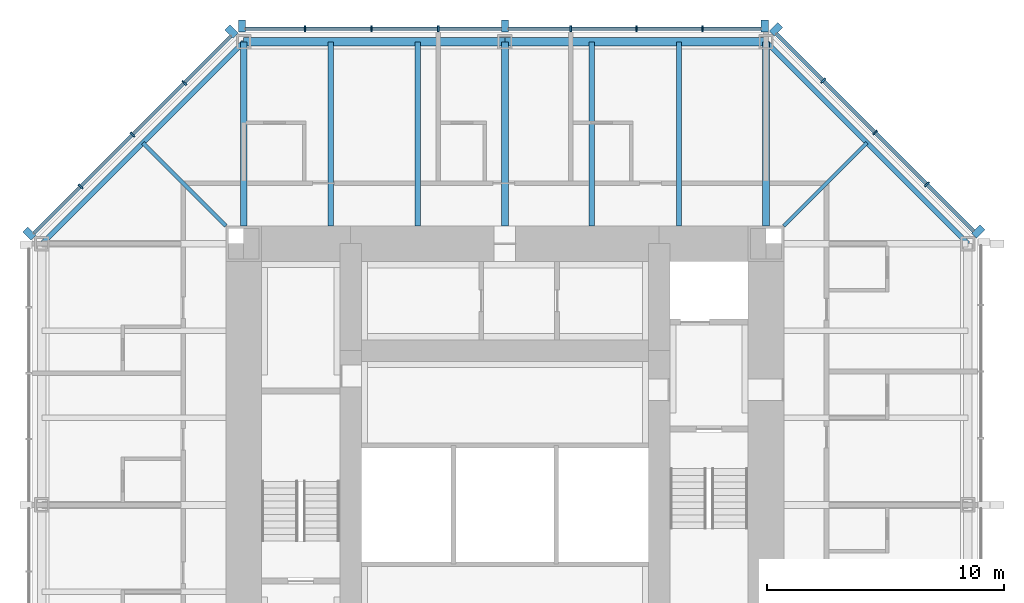
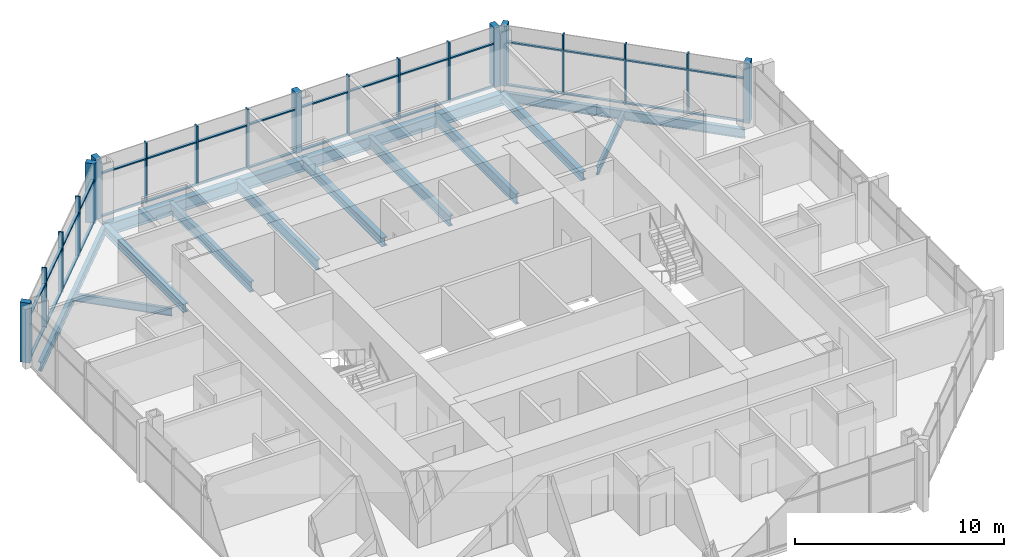
# One storey, part 5 of 12: 51 members, 13 beams, 3 elements without a shape of their own.
"""IFC4 building model written with IfcOpenShell, lengths in metres."""

from ifc_helpers import new_model, si_unit, direction, frame, origin, origin_2d, place, context, subcontext, project, spatial, rectangle, i_section, extrude, material, material_profile, profile_set, type_object, element, aggregate, save


model = new_model("IFC4")

# Units and contexts
model_context = context("Model", 3, precision=1e-05, world=origin(), true_north=direction((0.0, 1.0)))
body_context = subcontext(model_context, "Body", "Model", "MODEL_VIEW")
ifc_project = project(units=[si_unit("LENGTHUNIT", "METRE"), si_unit("AREAUNIT", "SQUARE_METRE"), si_unit("VOLUMEUNIT", "CUBIC_METRE"), si_unit("PLANEANGLEUNIT", "RADIAN"), si_unit("MASSUNIT", "GRAM", prefix="KILO")], contexts=[model_context])

# Site, building, storey
site_placement = place(None, origin())
site = spatial("IfcSite", under=ifc_project, at=site_placement, CompositionType="ELEMENT")
building_placement = place(site_placement, origin())
building = spatial("IfcBuilding", under=site, at=building_placement, Name="Trevanion Tower", CompositionType="ELEMENT")
storey_placement = place(building_placement, frame((0.0, 0.0, 201.199951171875)))
storey = spatial("IfcBuildingStorey", under=building, at=storey_placement, Name="L47", CompositionType="ELEMENT", Elevation=201.199951171875)

# Beams
ifc_material_1 = material(Name="Steel ASTM A992 Grade 50", Category="steel")
ifc_material_profile_1 = material_profile(ifc_material_1, i_section(OverallWidth=0.228271484375, OverallDepth=0.607177734375, WebThickness=0.01123046875, FlangeThickness=0.017333984375, at=origin_2d()), Name="W24X76")
ifc_profile_set_1 = profile_set([ifc_material_profile_1], Name="Steel ASTM A992 Grade 50")
beam_type_1 = type_object("IfcBeamType", Name="B11 W24X76", PredefinedType="BEAM", material=ifc_profile_set_1)
for number, where, z_axis, x_axis, name in (
    (1, (7.333251953125, 11.75, -0.493408203125), (0.0, 1.0, 0.0), (-1.0, 0.0, 0.0), "B11 L47"),
    (2, (3.666748046875, 11.75, -0.493408203125), (0.0, 1.0, 0.0), (-1.0, 0.0, 0.0), "B11 L47"),
    (3, (-3.666748046875, 11.75, -0.493408203125), (0.0, 1.0, 0.0), (-1.0, 0.0, 0.0), "B11 L47"),
    (4, (-7.333251953125, 11.75, -0.493408203125), (0.0, 1.0, 0.0), (-1.0, 0.0, 0.0), "B11 L47"),
):
    element("IfcBeam", number, at=place(storey_placement, frame(where, z_axis=z_axis, x_axis=x_axis)), inside=storey, type_object=beam_type_1, Name=name, PredefinedType="BEAM", context=body_context, shape_type="SweptSolid", body=[
        extrude(i_section(OverallWidth=0.228271484375, OverallDepth=0.607177734375, WebThickness=0.01123046875, FlangeThickness=0.017333984375, at=origin_2d()), origin(), (0.0, 0.0, 1.0), 7.75),
    ])
ifc_material_2 = material(Name="Steel ASTM A992 Grade 50", Category="steel")
ifc_material_profile_2 = material_profile(ifc_material_2, i_section(OverallWidth=0.15234375, OverallDepth=0.449462890625, WebThickness=0.007568359375, FlangeThickness=0.0107421875, at=origin_2d()), Name="W18X35")
ifc_profile_set_2 = profile_set([ifc_material_profile_2], Name="Steel ASTM A992 Grade 50")
beam_type_2 = type_object("IfcBeamType", Name="B12 W18X35", PredefinedType="BEAM", material=ifc_profile_set_2)
for number, where, z_axis, x_axis, name in (
    (5, (11.75, 11.75, -0.414794921875), (0.707106781187, 0.707106781187, 0.0), (-0.707106781187, 0.707106781187, 0.0), "B12 L47"),
    (6, (-11.75, 11.75, -0.414794921875), (-0.707106781187, 0.707106781187, 0.0), (-0.707106781187, -0.707106781187, 0.0), "B12 L47"),
):
    element("IfcBeam", number, at=place(storey_placement, frame(where, z_axis=z_axis, x_axis=x_axis)), inside=storey, type_object=beam_type_2, Name=name, PredefinedType="BEAM", context=body_context, shape_type="SweptSolid", body=[
        extrude(i_section(OverallWidth=0.15234375, OverallDepth=0.449462890625, WebThickness=0.007568359375, FlangeThickness=0.0107421875, at=origin_2d()), origin(), (0.0, 0.0, 1.0), 4.94970703125),
    ])

# Curtain wall, members
ifc_material_3 = material(Name="Aluminium and glass", Category="aluminium")
curtain_wall_type = type_object("IfcCurtainWallType", Name="CW3 curtain wall", PredefinedType="USERDEFINED", material=ifc_material_3)
curtain_wall_1_placement = place(storey_placement, origin())
curtain_wall_1 = element("IfcCurtainWall", 7, at=curtain_wall_1_placement, inside=storey, type_object=curtain_wall_type, Name="CW3 L47 1", ObjectType="UNITISED CURTAIN WALL", PredefinedType="USERDEFINED")
ifc_material_4 = material(Name="Aluminium extrusion, anodised bronze", Category="aluminium")
ifc_material_profile_3 = material_profile(ifc_material_4, rectangle(XDim=0.074951171875, YDim=0.25, at=origin_2d()), Name="CW3 mullion")
ifc_profile_set_3 = profile_set([ifc_material_profile_3], Name="Aluminium extrusion, anodised bronze")
member_type_1 = type_object("IfcMemberType", Name="CW3 mullion", PredefinedType="MULLION", material=ifc_profile_set_3)
member_1_placement = place(storey_placement, frame((17.775390625, 13.502197265625, -0.18994140625), z_axis=(0.0, 0.0, 1.0), x_axis=(-0.707106781187, 0.707106781187, 0.0)))
member_1 = element("IfcMember", 8, at=member_1_placement, type_object=member_type_1, Name="CW3 mullion 2", PredefinedType="MULLION", context=body_context, shape_type="SweptSolid", body=[
    extrude(rectangle(XDim=0.074951171875, YDim=0.25, at=origin_2d()), origin(), (0.0, 0.0, 1.0), 3.5),
])
member_2_placement = place(storey_placement, frame((15.593017578125, 15.684814453125, -0.18994140625), z_axis=(0.0, 0.0, 1.0), x_axis=(-0.707106781187, 0.707106781187, 0.0)))
member_2 = element("IfcMember", 9, at=member_2_placement, type_object=member_type_1, Name="CW3 mullion 3", PredefinedType="MULLION", context=body_context, shape_type="SweptSolid", body=[
    extrude(rectangle(XDim=0.074951171875, YDim=0.25, at=origin_2d()), origin(), (0.0, 0.0, 1.0), 3.5),
])
member_3_placement = place(storey_placement, frame((13.410400390625, 17.867431640625, -0.18994140625), z_axis=(0.0, 0.0, 1.0), x_axis=(-0.707106781187, 0.707106781187, 0.0)))
member_3 = element("IfcMember", 10, at=member_3_placement, type_object=member_type_1, Name="CW3 mullion 4", PredefinedType="MULLION", context=body_context, shape_type="SweptSolid", body=[
    extrude(rectangle(XDim=0.074951171875, YDim=0.25, at=origin_2d()), origin(), (0.0, 0.0, 1.0), 3.5),
])

curtain_wall_2_placement = place(storey_placement, origin())
curtain_wall_2 = element("IfcCurtainWall", 11, at=curtain_wall_2_placement, inside=storey, type_object=curtain_wall_type, Name="CW3 L47 2", ObjectType="UNITISED CURTAIN WALL", PredefinedType="USERDEFINED")
member_4_placement = place(storey_placement, frame((8.323486328125, 20.050048828125, -0.18994140625), z_axis=(0.0, 0.0, 1.0), x_axis=(-1.0, 0.0, 0.0)))
member_4 = element("IfcMember", 12, at=member_4_placement, type_object=member_type_1, Name="CW3 mullion 2", PredefinedType="MULLION", context=body_context, shape_type="SweptSolid", body=[
    extrude(rectangle(XDim=0.074951171875, YDim=0.25, at=origin_2d()), origin(), (0.0, 0.0, 1.0), 3.5),
])
member_5_placement = place(storey_placement, frame((5.548828125, 20.050048828125, -0.18994140625), z_axis=(0.0, 0.0, 1.0), x_axis=(-1.0, 0.0, 0.0)))
member_5 = element("IfcMember", 13, at=member_5_placement, type_object=member_type_1, Name="CW3 mullion 3", PredefinedType="MULLION", context=body_context, shape_type="SweptSolid", body=[
    extrude(rectangle(XDim=0.074951171875, YDim=0.25, at=origin_2d()), origin(), (0.0, 0.0, 1.0), 3.5),
])
member_6_placement = place(storey_placement, frame((2.7744140625, 20.050048828125, -0.18994140625), z_axis=(0.0, 0.0, 1.0), x_axis=(-1.0, 0.0, 0.0)))
member_6 = element("IfcMember", 14, at=member_6_placement, type_object=member_type_1, Name="CW3 mullion 4", PredefinedType="MULLION", context=body_context, shape_type="SweptSolid", body=[
    extrude(rectangle(XDim=0.074951171875, YDim=0.25, at=origin_2d()), origin(), (0.0, 0.0, 1.0), 3.5),
])
member_7_placement = place(storey_placement, frame((-2.806884765625, 20.050048828125, -0.18994140625), z_axis=(0.0, 0.0, 1.0), x_axis=(-1.0, 0.0, 0.0)))
member_7 = element("IfcMember", 15, at=member_7_placement, type_object=member_type_1, Name="CW3 mullion 6", PredefinedType="MULLION", context=body_context, shape_type="SweptSolid", body=[
    extrude(rectangle(XDim=0.074951171875, YDim=0.25, at=origin_2d()), origin(), (0.0, 0.0, 1.0), 3.5),
])
member_8_placement = place(storey_placement, frame((-5.614013671875, 20.050048828125, -0.18994140625), z_axis=(0.0, 0.0, 1.0), x_axis=(-1.0, 0.0, 0.0)))
member_8 = element("IfcMember", 16, at=member_8_placement, type_object=member_type_1, Name="CW3 mullion 7", PredefinedType="MULLION", context=body_context, shape_type="SweptSolid", body=[
    extrude(rectangle(XDim=0.074951171875, YDim=0.25, at=origin_2d()), origin(), (0.0, 0.0, 1.0), 3.5),
])
member_9_placement = place(storey_placement, frame((-8.4208984375, 20.050048828125, -0.18994140625), z_axis=(0.0, 0.0, 1.0), x_axis=(-1.0, 0.0, 0.0)))
member_9 = element("IfcMember", 17, at=member_9_placement, type_object=member_type_1, Name="CW3 mullion 8", PredefinedType="MULLION", context=body_context, shape_type="SweptSolid", body=[
    extrude(rectangle(XDim=0.074951171875, YDim=0.25, at=origin_2d()), origin(), (0.0, 0.0, 1.0), 3.5),
])

curtain_wall_3_placement = place(storey_placement, origin())
curtain_wall_3 = element("IfcCurtainWall", 18, at=curtain_wall_3_placement, inside=storey, type_object=curtain_wall_type, Name="CW3 L47 3", ObjectType="UNITISED CURTAIN WALL", PredefinedType="USERDEFINED")
member_10_placement = place(storey_placement, frame((-13.502197265625, 17.775390625, -0.18994140625), z_axis=(0.0, 0.0, 1.0), x_axis=(-0.707106781187, -0.707106781187, 0.0)))
member_10 = element("IfcMember", 19, at=member_10_placement, type_object=member_type_1, Name="CW3 mullion 2", PredefinedType="MULLION", context=body_context, shape_type="SweptSolid", body=[
    extrude(rectangle(XDim=0.074951171875, YDim=0.25, at=origin_2d()), origin(), (0.0, 0.0, 1.0), 3.5),
])
member_11_placement = place(storey_placement, frame((-15.684814453125, 15.593017578125, -0.18994140625), z_axis=(0.0, 0.0, 1.0), x_axis=(-0.707106781187, -0.707106781187, 0.0)))
member_11 = element("IfcMember", 20, at=member_11_placement, type_object=member_type_1, Name="CW3 mullion 3", PredefinedType="MULLION", context=body_context, shape_type="SweptSolid", body=[
    extrude(rectangle(XDim=0.074951171875, YDim=0.25, at=origin_2d()), origin(), (0.0, 0.0, 1.0), 3.5),
])
member_12_placement = place(storey_placement, frame((-17.867431640625, 13.410400390625, -0.18994140625), z_axis=(0.0, 0.0, 1.0), x_axis=(-0.707106781187, -0.707106781187, 0.0)))
member_12 = element("IfcMember", 21, at=member_12_placement, type_object=member_type_1, Name="CW3 mullion 4", PredefinedType="MULLION", context=body_context, shape_type="SweptSolid", body=[
    extrude(rectangle(XDim=0.074951171875, YDim=0.25, at=origin_2d()), origin(), (0.0, 0.0, 1.0), 3.5),
])

# Member
ifc_material_5 = material(Name="Aluminium extrusion, anodised bronze", Category="aluminium")
ifc_material_profile_4 = material_profile(ifc_material_5, rectangle(XDim=0.300048828125, YDim=0.5, at=origin_2d()), Name="CW3 pier mullion")
ifc_profile_set_4 = profile_set([ifc_material_profile_4], Name="Aluminium extrusion, anodised bronze")
member_type_2 = type_object("IfcMemberType", Name="CW3 pier mullion", PredefinedType="MULLION", material=ifc_profile_set_4)
member_13_placement = place(storey_placement, frame((19.9404296875, 11.51416015625, -0.18994140625), z_axis=(0.0, 0.0, 1.0), x_axis=(-0.707106781187, 0.707106781187, 0.0)))
member_13 = element("IfcMember", 22, at=member_13_placement, type_object=member_type_2, Name="CW3 pier mullion 1", PredefinedType="MULLION", context=body_context, shape_type="SweptSolid", body=[
    extrude(rectangle(XDim=0.300048828125, YDim=0.5, at=origin_2d()), origin(), (0.0, 0.0, 1.0), 3.5),
])

member_14_placement = place(storey_placement, frame((11.42236328125, 20.0322265625, -0.18994140625), z_axis=(0.0, 0.0, 1.0), x_axis=(-0.707106781187, 0.707106781187, 0.0)))
member_14 = element("IfcMember", 23, at=member_14_placement, type_object=member_type_2, Name="CW3 pier mullion 5", PredefinedType="MULLION", context=body_context, shape_type="SweptSolid", body=[
    extrude(rectangle(XDim=0.300048828125, YDim=0.5, at=origin_2d()), origin(), (0.0, 0.0, 1.0), 3.5),
])

member_15_placement = place(storey_placement, frame((10.94775390625, 20.175048828125, -0.18994140625), z_axis=(0.0, 0.0, 1.0), x_axis=(-1.0, 0.0, 0.0)))
member_15 = element("IfcMember", 24, at=member_15_placement, type_object=member_type_2, Name="CW3 pier mullion 1", PredefinedType="MULLION", context=body_context, shape_type="SweptSolid", body=[
    extrude(rectangle(XDim=0.300048828125, YDim=0.5, at=origin_2d()), origin(), (0.0, 0.0, 1.0), 3.5),
])

member_16_placement = place(storey_placement, frame((0.0, 20.175048828125, -0.18994140625), z_axis=(0.0, 0.0, 1.0), x_axis=(-1.0, 0.0, 0.0)))
member_16 = element("IfcMember", 25, at=member_16_placement, type_object=member_type_2, Name="CW3 pier mullion 5", PredefinedType="MULLION", context=body_context, shape_type="SweptSolid", body=[
    extrude(rectangle(XDim=0.300048828125, YDim=0.5, at=origin_2d()), origin(), (0.0, 0.0, 1.0), 3.5),
])

member_17_placement = place(storey_placement, frame((-11.077880859375, 20.175048828125, -0.18994140625), z_axis=(0.0, 0.0, 1.0), x_axis=(-1.0, 0.0, 0.0)))
member_17 = element("IfcMember", 26, at=member_17_placement, type_object=member_type_2, Name="CW3 pier mullion 9", PredefinedType="MULLION", context=body_context, shape_type="SweptSolid", body=[
    extrude(rectangle(XDim=0.300048828125, YDim=0.5, at=origin_2d()), origin(), (0.0, 0.0, 1.0), 3.5),
])

member_18_placement = place(storey_placement, frame((-11.51416015625, 19.9404296875, -0.18994140625), z_axis=(0.0, 0.0, 1.0), x_axis=(-0.707106781187, -0.707106781187, 0.0)))
member_18 = element("IfcMember", 27, at=member_18_placement, type_object=member_type_2, Name="CW3 pier mullion 1", PredefinedType="MULLION", context=body_context, shape_type="SweptSolid", body=[
    extrude(rectangle(XDim=0.300048828125, YDim=0.5, at=origin_2d()), origin(), (0.0, 0.0, 1.0), 3.5),
])

member_19_placement = place(storey_placement, frame((-20.0322265625, 11.42236328125, -0.18994140625), z_axis=(0.0, 0.0, 1.0), x_axis=(-0.707106781187, -0.707106781187, 0.0)))
member_19 = element("IfcMember", 28, at=member_19_placement, type_object=member_type_2, Name="CW3 pier mullion 5", PredefinedType="MULLION", context=body_context, shape_type="SweptSolid", body=[
    extrude(rectangle(XDim=0.300048828125, YDim=0.5, at=origin_2d()), origin(), (0.0, 0.0, 1.0), 3.5),
])

ifc_material_6 = material(Name="Aluminium extrusion, anodised bronze", Category="aluminium")
ifc_material_profile_5 = material_profile(ifc_material_6, rectangle(XDim=0.14990234375, YDim=0.074951171875, at=origin_2d()), Name="CW3 transom")
ifc_profile_set_5 = profile_set([ifc_material_profile_5], Name="Aluminium extrusion, anodised bronze")
member_type_3 = type_object("IfcMemberType", Name="CW3 transom", PredefinedType="USERDEFINED", material=ifc_profile_set_5)
member_20_placement = place(storey_placement, frame((19.745849609375, 11.531982421875, -0.15234375), z_axis=(-0.707106781187, 0.707106781187, 0.0), x_axis=(-0.707106781187, -0.707106781187, 0.0)))
member_20 = element("IfcMember", 29, at=member_20_placement, type_object=member_type_3, Name="CW3 transom 1.1", ObjectType="TRANSOM", PredefinedType="USERDEFINED", context=body_context, shape_type="SweptSolid", body=[
    extrude(rectangle(XDim=0.14990234375, YDim=0.074951171875, at=origin_2d()), origin(), (0.0, 0.0, 1.0), 2.7490234375),
])

member_21_placement = place(storey_placement, frame((19.745849609375, 11.531982421875, 2.360107421875), z_axis=(-0.707106781187, 0.707106781187, 0.0), x_axis=(-0.707106781187, -0.707106781187, 0.0)))
member_21 = element("IfcMember", 30, at=member_21_placement, type_object=member_type_3, Name="CW3 transom 1.2", ObjectType="TRANSOM", PredefinedType="USERDEFINED", context=body_context, shape_type="SweptSolid", body=[
    extrude(rectangle(XDim=0.14990234375, YDim=0.074951171875, at=origin_2d()), origin(), (0.0, 0.0, 1.0), 2.7490234375),
])

member_22_placement = place(storey_placement, frame((17.7490234375, 13.52880859375, -0.15234375), z_axis=(-0.707106781187, 0.707106781187, 0.0), x_axis=(-0.707106781187, -0.707106781187, 0.0)))
member_22 = element("IfcMember", 31, at=member_22_placement, type_object=member_type_3, Name="CW3 transom 2.1", ObjectType="TRANSOM", PredefinedType="USERDEFINED", context=body_context, shape_type="SweptSolid", body=[
    extrude(rectangle(XDim=0.14990234375, YDim=0.074951171875, at=origin_2d()), origin(), (0.0, 0.0, 1.0), 3.01171875),
])

member_23_placement = place(storey_placement, frame((17.7490234375, 13.52880859375, 2.360107421875), z_axis=(-0.707106781187, 0.707106781187, 0.0), x_axis=(-0.707106781187, -0.707106781187, 0.0)))
member_23 = element("IfcMember", 32, at=member_23_placement, type_object=member_type_3, Name="CW3 transom 2.2", ObjectType="TRANSOM", PredefinedType="USERDEFINED", context=body_context, shape_type="SweptSolid", body=[
    extrude(rectangle(XDim=0.14990234375, YDim=0.074951171875, at=origin_2d()), origin(), (0.0, 0.0, 1.0), 3.01171875),
])

member_24_placement = place(storey_placement, frame((15.56640625, 15.71142578125, -0.15234375), z_axis=(-0.707106781187, 0.707106781187, 0.0), x_axis=(-0.707106781187, -0.707106781187, 0.0)))
member_24 = element("IfcMember", 33, at=member_24_placement, type_object=member_type_3, Name="CW3 transom 3.1", ObjectType="TRANSOM", PredefinedType="USERDEFINED", context=body_context, shape_type="SweptSolid", body=[
    extrude(rectangle(XDim=0.14990234375, YDim=0.074951171875, at=origin_2d()), origin(), (0.0, 0.0, 1.0), 3.011474609375),
])

member_25_placement = place(storey_placement, frame((15.56640625, 15.71142578125, 2.360107421875), z_axis=(-0.707106781187, 0.707106781187, 0.0), x_axis=(-0.707106781187, -0.707106781187, 0.0)))
member_25 = element("IfcMember", 34, at=member_25_placement, type_object=member_type_3, Name="CW3 transom 3.2", ObjectType="TRANSOM", PredefinedType="USERDEFINED", context=body_context, shape_type="SweptSolid", body=[
    extrude(rectangle(XDim=0.14990234375, YDim=0.074951171875, at=origin_2d()), origin(), (0.0, 0.0, 1.0), 3.011474609375),
])

member_26_placement = place(storey_placement, frame((13.3837890625, 17.89404296875, -0.15234375), z_axis=(-0.707106781187, 0.707106781187, 0.0), x_axis=(-0.707106781187, -0.707106781187, 0.0)))
member_26 = element("IfcMember", 35, at=member_26_placement, type_object=member_type_3, Name="CW3 transom 4.1", ObjectType="TRANSOM", PredefinedType="USERDEFINED", context=body_context, shape_type="SweptSolid", body=[
    extrude(rectangle(XDim=0.14990234375, YDim=0.074951171875, at=origin_2d()), origin(), (0.0, 0.0, 1.0), 2.7490234375),
])

member_27_placement = place(storey_placement, frame((13.3837890625, 17.89404296875, 2.360107421875), z_axis=(-0.707106781187, 0.707106781187, 0.0), x_axis=(-0.707106781187, -0.707106781187, 0.0)))
member_27 = element("IfcMember", 36, at=member_27_placement, type_object=member_type_3, Name="CW3 transom 4.2", ObjectType="TRANSOM", PredefinedType="USERDEFINED", context=body_context, shape_type="SweptSolid", body=[
    extrude(rectangle(XDim=0.14990234375, YDim=0.074951171875, at=origin_2d()), origin(), (0.0, 0.0, 1.0), 2.7490234375),
])

aggregate(curtain_wall_1, [member_13, member_1, member_2, member_3, member_14, member_20, member_21, member_22, member_23, member_24, member_25, member_26, member_27])

member_28_placement = place(storey_placement, frame((10.7978515625, 20.050048828125, -0.15234375), z_axis=(-1.0, 0.0, 0.0), x_axis=(0.0, -1.0, 0.0)))
member_28 = element("IfcMember", 37, at=member_28_placement, type_object=member_type_3, Name="CW3 transom 1.1", ObjectType="TRANSOM", PredefinedType="USERDEFINED", context=body_context, shape_type="SweptSolid", body=[
    extrude(rectangle(XDim=0.14990234375, YDim=0.074951171875, at=origin_2d()), origin(), (0.0, 0.0, 1.0), 2.43701171875),
])

member_29_placement = place(storey_placement, frame((10.7978515625, 20.050048828125, 2.360107421875), z_axis=(-1.0, 0.0, 0.0), x_axis=(0.0, -1.0, 0.0)))
member_29 = element("IfcMember", 38, at=member_29_placement, type_object=member_type_3, Name="CW3 transom 1.2", ObjectType="TRANSOM", PredefinedType="USERDEFINED", context=body_context, shape_type="SweptSolid", body=[
    extrude(rectangle(XDim=0.14990234375, YDim=0.074951171875, at=origin_2d()), origin(), (0.0, 0.0, 1.0), 2.43701171875),
])

member_30_placement = place(storey_placement, frame((8.285888671875, 20.050048828125, -0.15234375), z_axis=(-1.0, 0.0, 0.0), x_axis=(0.0, -1.0, 0.0)))
member_30 = element("IfcMember", 39, at=member_30_placement, type_object=member_type_3, Name="CW3 transom 2.1", ObjectType="TRANSOM", PredefinedType="USERDEFINED", context=body_context, shape_type="SweptSolid", body=[
    extrude(rectangle(XDim=0.14990234375, YDim=0.074951171875, at=origin_2d()), origin(), (0.0, 0.0, 1.0), 2.699462890625),
])

member_31_placement = place(storey_placement, frame((8.285888671875, 20.050048828125, 2.360107421875), z_axis=(-1.0, 0.0, 0.0), x_axis=(0.0, -1.0, 0.0)))
member_31 = element("IfcMember", 40, at=member_31_placement, type_object=member_type_3, Name="CW3 transom 2.2", ObjectType="TRANSOM", PredefinedType="USERDEFINED", context=body_context, shape_type="SweptSolid", body=[
    extrude(rectangle(XDim=0.14990234375, YDim=0.074951171875, at=origin_2d()), origin(), (0.0, 0.0, 1.0), 2.699462890625),
])

member_32_placement = place(storey_placement, frame((5.511474609375, 20.050048828125, -0.15234375), z_axis=(-1.0, 0.0, 0.0), x_axis=(0.0, -1.0, 0.0)))
member_32 = element("IfcMember", 41, at=member_32_placement, type_object=member_type_3, Name="CW3 transom 3.1", ObjectType="TRANSOM", PredefinedType="USERDEFINED", context=body_context, shape_type="SweptSolid", body=[
    extrude(rectangle(XDim=0.14990234375, YDim=0.074951171875, at=origin_2d()), origin(), (0.0, 0.0, 1.0), 2.699462890625),
])

member_33_placement = place(storey_placement, frame((5.511474609375, 20.050048828125, 2.360107421875), z_axis=(-1.0, 0.0, 0.0), x_axis=(0.0, -1.0, 0.0)))
member_33 = element("IfcMember", 42, at=member_33_placement, type_object=member_type_3, Name="CW3 transom 3.2", ObjectType="TRANSOM", PredefinedType="USERDEFINED", context=body_context, shape_type="SweptSolid", body=[
    extrude(rectangle(XDim=0.14990234375, YDim=0.074951171875, at=origin_2d()), origin(), (0.0, 0.0, 1.0), 2.699462890625),
])

member_34_placement = place(storey_placement, frame((2.737060546875, 20.050048828125, -0.15234375), z_axis=(-1.0, 0.0, 0.0), x_axis=(0.0, -1.0, 0.0)))
member_34 = element("IfcMember", 43, at=member_34_placement, type_object=member_type_3, Name="CW3 transom 4.1", ObjectType="TRANSOM", PredefinedType="USERDEFINED", context=body_context, shape_type="SweptSolid", body=[
    extrude(rectangle(XDim=0.14990234375, YDim=0.074951171875, at=origin_2d()), origin(), (0.0, 0.0, 1.0), 2.587158203125),
])

member_35_placement = place(storey_placement, frame((2.737060546875, 20.050048828125, 2.360107421875), z_axis=(-1.0, 0.0, 0.0), x_axis=(0.0, -1.0, 0.0)))
member_35 = element("IfcMember", 44, at=member_35_placement, type_object=member_type_3, Name="CW3 transom 4.2", ObjectType="TRANSOM", PredefinedType="USERDEFINED", context=body_context, shape_type="SweptSolid", body=[
    extrude(rectangle(XDim=0.14990234375, YDim=0.074951171875, at=origin_2d()), origin(), (0.0, 0.0, 1.0), 2.587158203125),
])

member_36_placement = place(storey_placement, frame((-0.14990234375, 20.050048828125, -0.15234375), z_axis=(-1.0, 0.0, 0.0), x_axis=(0.0, -1.0, 0.0)))
member_36 = element("IfcMember", 45, at=member_36_placement, type_object=member_type_3, Name="CW3 transom 5.1", ObjectType="TRANSOM", PredefinedType="USERDEFINED", context=body_context, shape_type="SweptSolid", body=[
    extrude(rectangle(XDim=0.14990234375, YDim=0.074951171875, at=origin_2d()), origin(), (0.0, 0.0, 1.0), 2.619384765625),
])

member_37_placement = place(storey_placement, frame((-0.14990234375, 20.050048828125, 2.360107421875), z_axis=(-1.0, 0.0, 0.0), x_axis=(0.0, -1.0, 0.0)))
member_37 = element("IfcMember", 46, at=member_37_placement, type_object=member_type_3, Name="CW3 transom 5.2", ObjectType="TRANSOM", PredefinedType="USERDEFINED", context=body_context, shape_type="SweptSolid", body=[
    extrude(rectangle(XDim=0.14990234375, YDim=0.074951171875, at=origin_2d()), origin(), (0.0, 0.0, 1.0), 2.619384765625),
])

member_38_placement = place(storey_placement, frame((-2.844482421875, 20.050048828125, -0.15234375), z_axis=(-1.0, 0.0, 0.0), x_axis=(0.0, -1.0, 0.0)))
member_38 = element("IfcMember", 47, at=member_38_placement, type_object=member_type_3, Name="CW3 transom 6.1", ObjectType="TRANSOM", PredefinedType="USERDEFINED", context=body_context, shape_type="SweptSolid", body=[
    extrude(rectangle(XDim=0.14990234375, YDim=0.074951171875, at=origin_2d()), origin(), (0.0, 0.0, 1.0), 2.73193359375),
])

member_39_placement = place(storey_placement, frame((-2.844482421875, 20.050048828125, 2.360107421875), z_axis=(-1.0, 0.0, 0.0), x_axis=(0.0, -1.0, 0.0)))
member_39 = element("IfcMember", 48, at=member_39_placement, type_object=member_type_3, Name="CW3 transom 6.2", ObjectType="TRANSOM", PredefinedType="USERDEFINED", context=body_context, shape_type="SweptSolid", body=[
    extrude(rectangle(XDim=0.14990234375, YDim=0.074951171875, at=origin_2d()), origin(), (0.0, 0.0, 1.0), 2.73193359375),
])

member_40_placement = place(storey_placement, frame((-5.6513671875, 20.050048828125, -0.15234375), z_axis=(-1.0, 0.0, 0.0), x_axis=(0.0, -1.0, 0.0)))
member_40 = element("IfcMember", 49, at=member_40_placement, type_object=member_type_3, Name="CW3 transom 7.1", ObjectType="TRANSOM", PredefinedType="USERDEFINED", context=body_context, shape_type="SweptSolid", body=[
    extrude(rectangle(XDim=0.14990234375, YDim=0.074951171875, at=origin_2d()), origin(), (0.0, 0.0, 1.0), 2.73193359375),
])

member_41_placement = place(storey_placement, frame((-5.6513671875, 20.050048828125, 2.360107421875), z_axis=(-1.0, 0.0, 0.0), x_axis=(0.0, -1.0, 0.0)))
member_41 = element("IfcMember", 50, at=member_41_placement, type_object=member_type_3, Name="CW3 transom 7.2", ObjectType="TRANSOM", PredefinedType="USERDEFINED", context=body_context, shape_type="SweptSolid", body=[
    extrude(rectangle(XDim=0.14990234375, YDim=0.074951171875, at=origin_2d()), origin(), (0.0, 0.0, 1.0), 2.73193359375),
])

member_42_placement = place(storey_placement, frame((-8.45849609375, 20.050048828125, -0.15234375), z_axis=(-1.0, 0.0, 0.0), x_axis=(0.0, -1.0, 0.0)))
member_42 = element("IfcMember", 51, at=member_42_placement, type_object=member_type_3, Name="CW3 transom 8.1", ObjectType="TRANSOM", PredefinedType="USERDEFINED", context=body_context, shape_type="SweptSolid", body=[
    extrude(rectangle(XDim=0.14990234375, YDim=0.074951171875, at=origin_2d()), origin(), (0.0, 0.0, 1.0), 2.46923828125),
])

member_43_placement = place(storey_placement, frame((-8.45849609375, 20.050048828125, 2.360107421875), z_axis=(-1.0, 0.0, 0.0), x_axis=(0.0, -1.0, 0.0)))
member_43 = element("IfcMember", 52, at=member_43_placement, type_object=member_type_3, Name="CW3 transom 8.2", ObjectType="TRANSOM", PredefinedType="USERDEFINED", context=body_context, shape_type="SweptSolid", body=[
    extrude(rectangle(XDim=0.14990234375, YDim=0.074951171875, at=origin_2d()), origin(), (0.0, 0.0, 1.0), 2.46923828125),
])

aggregate(curtain_wall_2, [member_15, member_4, member_5, member_6, member_16, member_7, member_8, member_9, member_17, member_28, member_29, member_30, member_31, member_32, member_33, member_34, member_35, member_36, member_37, member_38, member_39, member_40, member_41, member_42, member_43])

member_44_placement = place(storey_placement, frame((-11.531982421875, 19.745849609375, -0.15234375), z_axis=(-0.707106781187, -0.707106781187, 0.0), x_axis=(0.707106781187, -0.707106781187, 0.0)))
member_44 = element("IfcMember", 53, at=member_44_placement, type_object=member_type_3, Name="CW3 transom 1.1", ObjectType="TRANSOM", PredefinedType="USERDEFINED", context=body_context, shape_type="SweptSolid", body=[
    extrude(rectangle(XDim=0.14990234375, YDim=0.074951171875, at=origin_2d()), origin(), (0.0, 0.0, 1.0), 2.7490234375),
])

member_45_placement = place(storey_placement, frame((-11.531982421875, 19.745849609375, 2.360107421875), z_axis=(-0.707106781187, -0.707106781187, 0.0), x_axis=(0.707106781187, -0.707106781187, 0.0)))
member_45 = element("IfcMember", 54, at=member_45_placement, type_object=member_type_3, Name="CW3 transom 1.2", ObjectType="TRANSOM", PredefinedType="USERDEFINED", context=body_context, shape_type="SweptSolid", body=[
    extrude(rectangle(XDim=0.14990234375, YDim=0.074951171875, at=origin_2d()), origin(), (0.0, 0.0, 1.0), 2.7490234375),
])

member_46_placement = place(storey_placement, frame((-13.52880859375, 17.7490234375, -0.15234375), z_axis=(-0.707106781187, -0.707106781187, 0.0), x_axis=(0.707106781187, -0.707106781187, 0.0)))
member_46 = element("IfcMember", 55, at=member_46_placement, type_object=member_type_3, Name="CW3 transom 2.1", ObjectType="TRANSOM", PredefinedType="USERDEFINED", context=body_context, shape_type="SweptSolid", body=[
    extrude(rectangle(XDim=0.14990234375, YDim=0.074951171875, at=origin_2d()), origin(), (0.0, 0.0, 1.0), 3.01171875),
])

member_47_placement = place(storey_placement, frame((-13.52880859375, 17.7490234375, 2.360107421875), z_axis=(-0.707106781187, -0.707106781187, 0.0), x_axis=(0.707106781187, -0.707106781187, 0.0)))
member_47 = element("IfcMember", 56, at=member_47_placement, type_object=member_type_3, Name="CW3 transom 2.2", ObjectType="TRANSOM", PredefinedType="USERDEFINED", context=body_context, shape_type="SweptSolid", body=[
    extrude(rectangle(XDim=0.14990234375, YDim=0.074951171875, at=origin_2d()), origin(), (0.0, 0.0, 1.0), 3.01171875),
])

member_48_placement = place(storey_placement, frame((-15.71142578125, 15.56640625, -0.15234375), z_axis=(-0.707106781187, -0.707106781187, 0.0), x_axis=(0.707106781187, -0.707106781187, 0.0)))
member_48 = element("IfcMember", 57, at=member_48_placement, type_object=member_type_3, Name="CW3 transom 3.1", ObjectType="TRANSOM", PredefinedType="USERDEFINED", context=body_context, shape_type="SweptSolid", body=[
    extrude(rectangle(XDim=0.14990234375, YDim=0.074951171875, at=origin_2d()), origin(), (0.0, 0.0, 1.0), 3.011474609375),
])

member_49_placement = place(storey_placement, frame((-15.71142578125, 15.56640625, 2.360107421875), z_axis=(-0.707106781187, -0.707106781187, 0.0), x_axis=(0.707106781187, -0.707106781187, 0.0)))
member_49 = element("IfcMember", 58, at=member_49_placement, type_object=member_type_3, Name="CW3 transom 3.2", ObjectType="TRANSOM", PredefinedType="USERDEFINED", context=body_context, shape_type="SweptSolid", body=[
    extrude(rectangle(XDim=0.14990234375, YDim=0.074951171875, at=origin_2d()), origin(), (0.0, 0.0, 1.0), 3.011474609375),
])

member_50_placement = place(storey_placement, frame((-17.89404296875, 13.3837890625, -0.15234375), z_axis=(-0.707106781187, -0.707106781187, 0.0), x_axis=(0.707106781187, -0.707106781187, 0.0)))
member_50 = element("IfcMember", 59, at=member_50_placement, type_object=member_type_3, Name="CW3 transom 4.1", ObjectType="TRANSOM", PredefinedType="USERDEFINED", context=body_context, shape_type="SweptSolid", body=[
    extrude(rectangle(XDim=0.14990234375, YDim=0.074951171875, at=origin_2d()), origin(), (0.0, 0.0, 1.0), 2.7490234375),
])

member_51_placement = place(storey_placement, frame((-17.89404296875, 13.3837890625, 2.360107421875), z_axis=(-0.707106781187, -0.707106781187, 0.0), x_axis=(0.707106781187, -0.707106781187, 0.0)))
member_51 = element("IfcMember", 60, at=member_51_placement, type_object=member_type_3, Name="CW3 transom 4.2", ObjectType="TRANSOM", PredefinedType="USERDEFINED", context=body_context, shape_type="SweptSolid", body=[
    extrude(rectangle(XDim=0.14990234375, YDim=0.074951171875, at=origin_2d()), origin(), (0.0, 0.0, 1.0), 2.7490234375),
])

aggregate(curtain_wall_3, [member_18, member_10, member_11, member_12, member_19, member_44, member_45, member_46, member_47, member_48, member_49, member_50, member_51])

# Beams
ifc_material_7 = material(Name="Steel ASTM A992 Grade 50", Category="steel")
ifc_material_profile_6 = material_profile(ifc_material_7, i_section(OverallWidth=0.28955078125, OverallDepth=0.508056640625, WebThickness=0.022705078125, FlangeThickness=0.040283203125, at=origin_2d()), Name="W18X175")
ifc_profile_set_6 = profile_set([ifc_material_profile_6], Name="Steel ASTM A992 Grade 50")
beam_type_3 = type_object("IfcBeamType", Name="G6 W18X175", PredefinedType="BEAM", material=ifc_profile_set_6)
for number, where, z_axis, x_axis, name in (
    (61, (11.0, 11.75, -0.44384765625), (0.0, 1.0, 0.0), (-1.0, 0.0, 0.0), "G6 L47"),
    (62, (0.0, 11.75, -0.44384765625), (0.0, 1.0, 0.0), (-1.0, 0.0, 0.0), "G6 L47"),
    (63, (-11.0, 11.75, -0.44384765625), (0.0, 1.0, 0.0), (-1.0, 0.0, 0.0), "G6 L47"),
):
    element("IfcBeam", number, at=place(storey_placement, frame(where, z_axis=z_axis, x_axis=x_axis)), inside=storey, type_object=beam_type_3, Name=name, PredefinedType="BEAM", context=body_context, shape_type="SweptSolid", body=[
        extrude(i_section(OverallWidth=0.28955078125, OverallDepth=0.508056640625, WebThickness=0.022705078125, FlangeThickness=0.040283203125, at=origin_2d()), origin(), (0.0, 0.0, 1.0), 7.75),
    ])
ifc_material_8 = material(Name="Steel ASTM A992 Grade 50", Category="steel")
ifc_material_profile_7 = material_profile(ifc_material_8, i_section(OverallWidth=0.355712890625, OverallDepth=0.696044921875, WebThickness=0.015380859375, FlangeThickness=0.024658203125, at=origin_2d()), Name="W27X146")
ifc_profile_set_7 = profile_set([ifc_material_profile_7], Name="Steel ASTM A992 Grade 50")
beam_type_4 = type_object("IfcBeamType", Name="SB8 W27X146", PredefinedType="SPANDREL", material=ifc_profile_set_7)
for number, where, z_axis, x_axis, name in (
    (64, (11.0, 19.5, -0.537841796875), (-1.0, 0.0, 0.0), (0.0, -1.0, 0.0), "SB8 L47"),
    (65, (0.0, 19.5, -0.537841796875), (-1.0, 0.0, 0.0), (0.0, -1.0, 0.0), "SB8 L47"),
):
    element("IfcBeam", number, at=place(storey_placement, frame(where, z_axis=z_axis, x_axis=x_axis)), inside=storey, type_object=beam_type_4, Name=name, PredefinedType="SPANDREL", context=body_context, shape_type="SweptSolid", body=[
        extrude(i_section(OverallWidth=0.355712890625, OverallDepth=0.696044921875, WebThickness=0.015380859375, FlangeThickness=0.024658203125, at=origin_2d()), origin(), (0.0, 0.0, 1.0), 11.0),
    ])
ifc_material_9 = material(Name="Steel ASTM A992 Grade 50", Category="steel")
ifc_material_profile_8 = material_profile(ifc_material_9, i_section(OverallWidth=0.209228515625, OverallDepth=0.533447265625, WebThickness=0.01025390625, FlangeThickness=0.015625, at=origin_2d()), Name="W21X62")
ifc_profile_set_8 = profile_set([ifc_material_profile_8], Name="Steel ASTM A992 Grade 50")
beam_type_5 = type_object("IfcBeamType", Name="SB9 W21X62", PredefinedType="SPANDREL", material=ifc_profile_set_8)
for number, where, z_axis, x_axis, name in (
    (66, (19.5, 11.0, -0.45654296875), (-0.707106781187, 0.707106781187, 0.0), (-0.707106781187, -0.707106781187, 0.0), "SB9 L47"),
    (67, (-11.0, 19.5, -0.45654296875), (-0.707106781187, -0.707106781187, 0.0), (0.707106781187, -0.707106781187, 0.0), "SB9 L47"),
):
    element("IfcBeam", number, at=place(storey_placement, frame(where, z_axis=z_axis, x_axis=x_axis)), inside=storey, type_object=beam_type_5, Name=name, PredefinedType="SPANDREL", context=body_context, shape_type="SweptSolid", body=[
        extrude(i_section(OverallWidth=0.209228515625, OverallDepth=0.533447265625, WebThickness=0.01025390625, FlangeThickness=0.015625, at=origin_2d()), origin(), (0.0, 0.0, 1.0), 12.020751953125),
    ])

save(model, "model.ifc")
